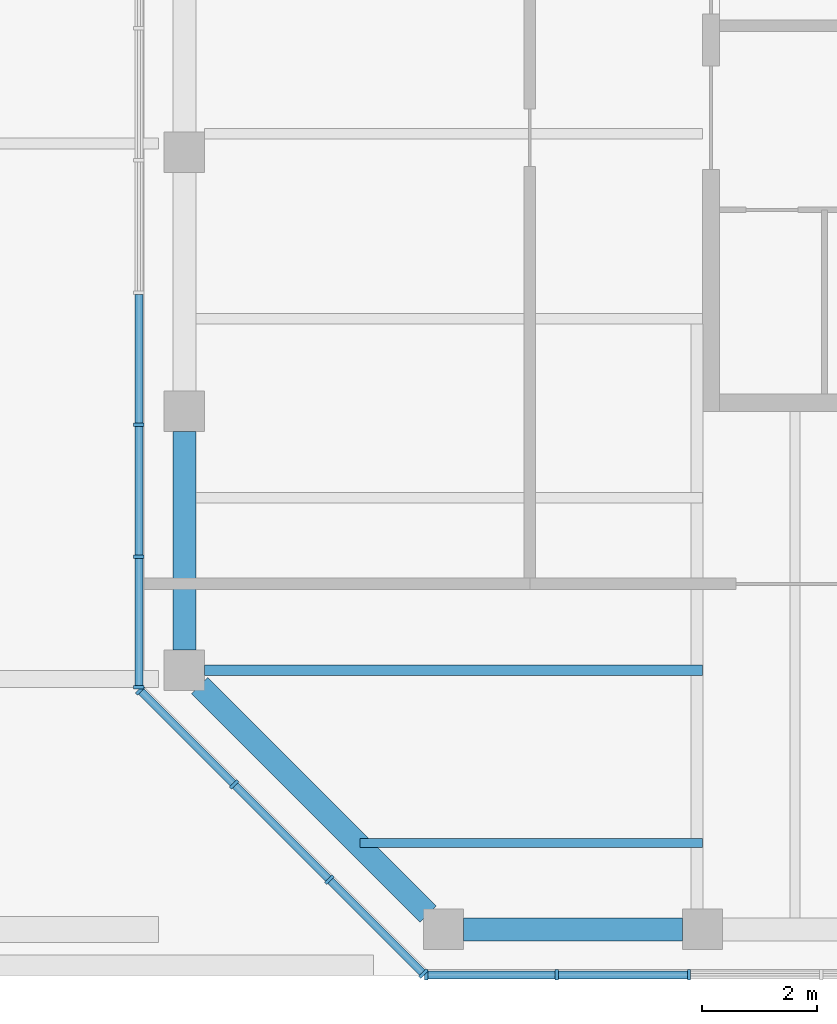
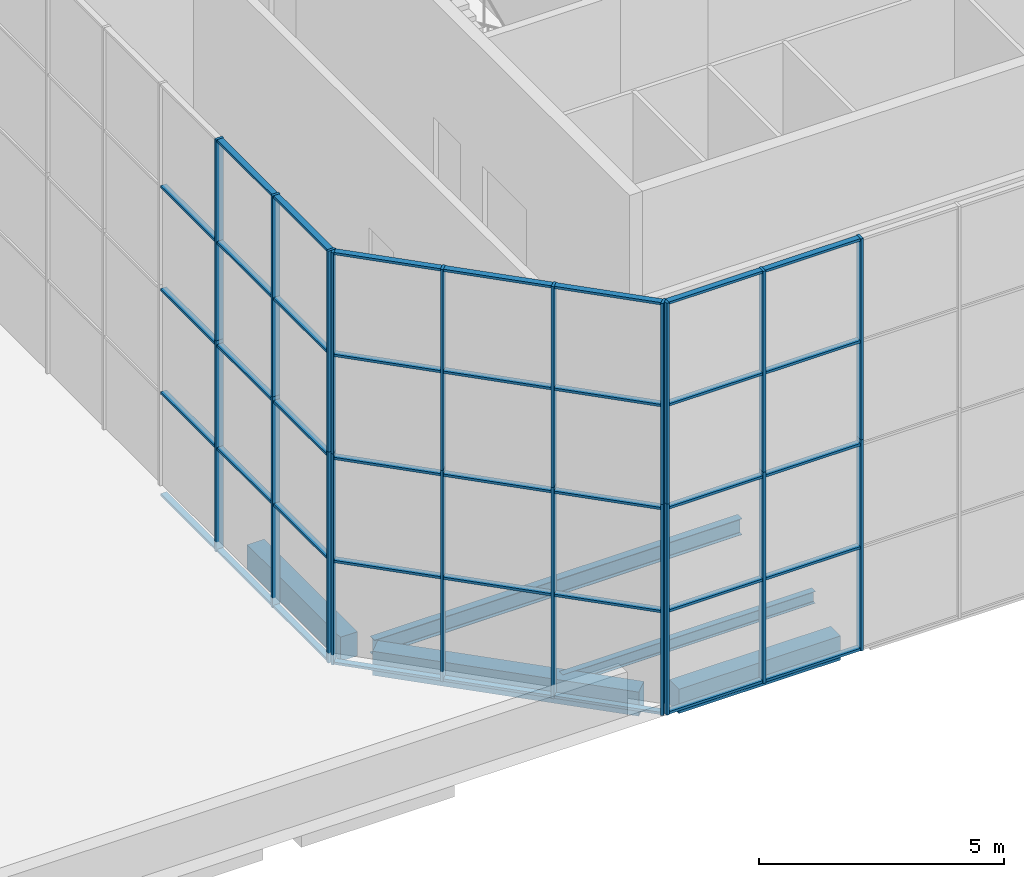
# One storey, part 2 of 19: 59 members, 5 beams, 3 elements without a shape of their own.
"""IFC4 building model written with IfcOpenShell, lengths in metres."""

import ifcopenshell
import ifcopenshell.guid

model = None  # the IFC model being written
_history = None  # IfcOwnerHistory: only IFC2X3 demands one
_inside = {}  # id of a spatial element -> (the spatial element, [elements in it])
_under = {}  # id of a project, library or spatial element -> (it, [spatial elements below it])
_declared = {}  # id of a project -> (the project, [libraries it declares])
_typed = {}  # id of a type object -> (the type object, [elements of that type])
_made_of = {}  # id of a material, layer set ... -> (it, [elements and type objects made of it])


def new_model(schema):
    """Start an empty IFC model of exactly this schema.

    Asked for "IFC4X3", IfcOpenShell would pick the latest addendum, in which some entities
    have other attributes; the version numbers below select the first issue.
    IFC2X3 requires an IfcOwnerHistory on every rooted entity: one is made here for all.
    """
    global model, _history
    if schema == "IFC4X3":
        model = ifcopenshell.file(schema_version=(4, 3, 0, 0))
    else:
        model = ifcopenshell.file(schema=schema)
    _inside.clear()
    _under.clear()
    _declared.clear()
    _typed.clear()
    _made_of.clear()
    _history = None
    if model.schema == "IFC2X3":
        org = make("IfcOrganization", Name="unknown")
        user = make(
            "IfcPersonAndOrganization",
            ThePerson=make("IfcPerson", FamilyName="unknown"),
            TheOrganization=org,
        )
        app = make(
            "IfcApplication",
            ApplicationDeveloper=org,
            Version="unknown",
            ApplicationFullName="unknown",
            ApplicationIdentifier="unknown",
        )
        _history = make(
            "IfcOwnerHistory",
            OwningUser=user,
            OwningApplication=app,
            ChangeAction="ADDED",
            CreationDate=0,
        )
    return model


def make(cls, **values):
    """One entity of the class cls with the attributes given. An attribute that is None is left unset."""
    return model.create_entity(
        cls, **{name: value for name, value in values.items() if value is not None}
    )


def rooted(cls, **values):
    """An entity with a GlobalId (a new one), such as an element, a storey or a relation."""
    return make(cls, GlobalId=ifcopenshell.guid.new(), OwnerHistory=_history, **values)


def si_unit(unit_type, name, prefix=None):
    """IfcSIUnit, for example si_unit("LENGTHUNIT", "METRE", prefix="MILLI")."""
    return make("IfcSIUnit", UnitType=unit_type, Prefix=prefix, Name=name)


def assignment(units):
    """IfcUnitAssignment: the units of a project."""
    return None if units is None else make("IfcUnitAssignment", Units=units)


def point(xyz):
    """IfcCartesianPoint."""
    return None if xyz is None else make("IfcCartesianPoint", Coordinates=xyz)


def direction(xyz):
    """IfcDirection."""
    return None if xyz is None else make("IfcDirection", DirectionRatios=xyz)


def frame(location, z_axis=None, x_axis=None):
    """IfcAxis2Placement3D, a coordinate frame: its origin and axes. An axis left out is left unset."""
    return make(
        "IfcAxis2Placement3D",
        Location=point(location),
        Axis=direction(z_axis),
        RefDirection=direction(x_axis),
    )


def frame_2d(location, x_axis=None):
    """IfcAxis2Placement2D, a coordinate frame in the plane: its origin and x axis."""
    return make(
        "IfcAxis2Placement2D", Location=point(location), RefDirection=direction(x_axis)
    )


def origin():
    """The frame at (0, 0, 0) with its axes left unset."""
    return frame((0.0, 0.0, 0.0))


def origin_2d():
    """The frame at (0, 0) in the plane with its x axis left unset."""
    return frame_2d((0.0, 0.0))


def place(relative_to, where):
    """IfcLocalPlacement: puts the frame where relative to a parent placement (None: the world)."""
    return make(
        "IfcLocalPlacement", PlacementRelTo=relative_to, RelativePlacement=where
    )


def context(
    kind, dimensions, precision=None, world=None, true_north=None, identifier=None
):
    """IfcGeometricRepresentationContext, for example the 3D "Model" context."""
    return make(
        "IfcGeometricRepresentationContext",
        ContextIdentifier=identifier,
        ContextType=kind,
        CoordinateSpaceDimension=dimensions,
        Precision=precision,
        WorldCoordinateSystem=world,
        TrueNorth=true_north,
    )


def subcontext(parent, identifier, kind, view, scale=None):
    """IfcGeometricRepresentationSubContext, for example "Body" below "Model"."""
    return make(
        "IfcGeometricRepresentationSubContext",
        ContextIdentifier=identifier,
        ContextType=kind,
        ParentContext=parent,
        TargetScale=scale,
        TargetView=view,
    )


def project(units=None, contexts=None):
    """IfcProject with its units and contexts."""
    return rooted(
        "IfcProject",
        Name="project",
        RepresentationContexts=contexts,
        UnitsInContext=assignment(units),
    )


def spatial(cls, under=None, at=None, **own):
    """A site, building, storey or space (cls), placed at a placement, below another one or the project."""
    s = rooted(cls, ObjectPlacement=at, **own)
    if under is not None:
        _under.setdefault(under.id(), (under, []))[1].append(s)
    return s


def profile(cls, at=None, kind="AREA", **sizes):
    """A parametric profile (cls). Its sizes go by their IFC names, for example OverallWidth=200.0."""
    return make(cls, ProfileType=kind, Position=at, **sizes)


def rectangle(**sizes):
    """IfcRectangleProfileDef."""
    return profile("IfcRectangleProfileDef", **sizes)


def i_section(**sizes):
    """IfcIShapeProfileDef."""
    return profile("IfcIShapeProfileDef", **sizes)


def extrude(swept, where, along, depth):
    """IfcExtrudedAreaSolid: the profile swept, set in the frame where, extruded along a direction by depth."""
    return make(
        "IfcExtrudedAreaSolid",
        SweptArea=swept,
        Position=where,
        ExtrudedDirection=direction(along),
        Depth=depth,
    )


def shape(context_of_items, identifier, shape_type, items):
    """IfcShapeRepresentation: the items that make up one representation, for example the "Body"."""
    return make(
        "IfcShapeRepresentation",
        ContextOfItems=context_of_items,
        RepresentationIdentifier=identifier,
        RepresentationType=shape_type,
        Items=items,
    )


def material(Name=None, Category=None):
    """IfcMaterial."""
    return make("IfcMaterial", Name=Name, Category=Category)


def constituent(of_material, Name=None, Category=None, fraction=None):
    """IfcMaterialConstituent: one of the materials an element consists of."""
    return make(
        "IfcMaterialConstituent",
        Name=Name,
        Material=of_material,
        Fraction=fraction,
        Category=Category,
    )


def constituent_set(constituents=None, Name=None):
    """IfcMaterialConstituentSet."""
    return make(
        "IfcMaterialConstituentSet", Name=Name, MaterialConstituents=constituents
    )


def material_profile(
    of_material, cross_section, Name=None, Category=None, Priority=None
):
    """IfcMaterialProfile: a cross section and its material."""
    return make(
        "IfcMaterialProfile",
        Name=Name,
        Material=of_material,
        Profile=cross_section,
        Priority=Priority,
        Category=Category,
    )


def profile_set(profiles, Name=None, composite=None):
    """IfcMaterialProfileSet."""
    return make(
        "IfcMaterialProfileSet",
        Name=Name,
        MaterialProfiles=profiles,
        CompositeProfile=composite,
    )


def made_of(thing, what):
    """Note that an element or type object is made of a material, layer set ...; save() writes the relation."""
    if what is not None:
        _made_of.setdefault(what.id(), (what, []))[1].append(thing)
    return thing


def type_object(cls, material=None, **own):
    """A type object (cls), such as IfcWallType, which elements share."""
    return made_of(rooted(cls, **own), material)


def element(
    cls,
    number,
    at=None,
    inside=None,
    cuts=None,
    type_object=None,
    material=None,
    context=None,
    identifier="Body",
    shape_type=None,
    held_by="IfcProductDefinitionShape",
    body=None,
    shapes=None,
    **own,
):
    """One element of the class cls, such as IfcWall. Its Tag is "e" and its number.

    at: its placement. inside: the storey or other place that contains it. cuts: it is an
    opening in that element (IfcRelVoidsElement). A single representation is given by context,
    identifier, shape_type and body (its items); several are given by shapes. held_by: the class
    of the entity that holds the representations. save() writes the other relations.
    """
    e = rooted(cls, Tag="e%d" % number, ObjectPlacement=at, **own)
    if body is not None:
        shapes = [shape(context, identifier, shape_type, body)]
    if shapes is not None:
        e.Representation = make(held_by, Representations=shapes)
    if inside is not None:
        _inside.setdefault(inside.id(), (inside, []))[1].append(e)
    if cuts is not None:
        rooted(
            "IfcRelVoidsElement", RelatingBuildingElement=cuts, RelatedOpeningElement=e
        )
    if type_object is not None:
        _typed.setdefault(type_object.id(), (type_object, []))[1].append(e)
    return made_of(e, material)


def aggregate(whole, parts):
    """IfcRelAggregates: a whole, such as a stair, and the parts it consists of."""
    return rooted("IfcRelAggregates", RelatingObject=whole, RelatedObjects=parts)


def save(model, path):
    """Write the relations noted so far, then the file.

    IfcRelAggregates (storeys below a building ...), IfcRelContainedInSpatialStructure (elements
    in a storey), IfcRelDefinesByType, IfcRelAssociatesMaterial and IfcRelDeclares: one each for
    every whole, place, type object, material and project.
    """
    for whole, parts in _under.values():
        aggregate(whole, parts)
    for where, things in _inside.values():
        rooted(
            "IfcRelContainedInSpatialStructure",
            RelatedElements=things,
            RelatingStructure=where,
        )
    for kind, things in _typed.values():
        rooted("IfcRelDefinesByType", RelatedObjects=things, RelatingType=kind)
    for what, things in _made_of.values():
        rooted("IfcRelAssociatesMaterial", RelatedObjects=things, RelatingMaterial=what)
    for by, libraries in _declared.values():
        rooted("IfcRelDeclares", RelatingContext=by, RelatedDefinitions=libraries)
    model.write(path)


model = new_model("IFC4")

# Units and contexts
model_context = context("Model", 3, precision=1e-05, world=origin(), true_north=direction((0.0, 1.0)))
body_context = subcontext(model_context, "Body", "Model", "MODEL_VIEW")
ifc_project = project(units=[si_unit("LENGTHUNIT", "METRE"), si_unit("AREAUNIT", "SQUARE_METRE"), si_unit("VOLUMEUNIT", "CUBIC_METRE"), si_unit("PLANEANGLEUNIT", "RADIAN"), si_unit("MASSUNIT", "GRAM", prefix="KILO")], contexts=[model_context])

# Site, building, storey
site_placement = place(None, origin())
site = spatial("IfcSite", under=ifc_project, at=site_placement, CompositionType="ELEMENT")
building_placement = place(site_placement, origin())
building = spatial("IfcBuilding", under=site, at=building_placement, Name="Quoin Convention Tower", CompositionType="ELEMENT")
storey_placement = place(building_placement, frame((0.0, 0.0, 263.699951171875)))
storey = spatial("IfcBuildingStorey", under=building, at=storey_placement, Name="L69", CompositionType="ELEMENT", Elevation=263.699951171875)

# Beams
ifc_material_1 = material(Name="Steel Grade 300", Category="steel")
ifc_material_profile_1 = material_profile(ifc_material_1, i_section(OverallWidth=0.14892578125, OverallDepth=0.298095703125, WebThickness=0.005615234375, FlangeThickness=0.008056640625, FilletRadius=0.012939453125, at=origin_2d()), Name="310UB32.0")
ifc_profile_set_1 = profile_set([ifc_material_profile_1], Name="Steel Grade 300")
beam_type_1 = type_object("IfcBeamType", Name="310UB32.0", PredefinedType="BEAM", material=ifc_profile_set_1)
beam_1_placement = place(storey_placement, frame((39.052490234375, 42.0, -0.39892578125), z_axis=(1.0, 0.0, 0.0), x_axis=(0.0, 1.0, 0.0)))
element("IfcBeam", 1, at=beam_1_placement, inside=storey, type_object=beam_type_1, Name="bm-L69-T1SW0", PredefinedType="BEAM", context=body_context, shape_type="SweptSolid", body=[
    extrude(i_section(OverallWidth=0.14892578125, OverallDepth=0.298095703125, WebThickness=0.005615234375, FlangeThickness=0.008056640625, FilletRadius=0.012939453125, at=origin_2d()), origin(), (0.0, 0.0, 1.0), 5.947509765625),
])
ifc_material_profile_2 = material_profile(ifc_material_1, i_section(OverallWidth=0.177978515625, OverallDepth=0.403076171875, WebThickness=0.007568359375, FlangeThickness=0.010986328125, FilletRadius=0.011474609375, at=origin_2d()), Name="410UB53.7")
ifc_profile_set_2 = profile_set([ifc_material_profile_2], Name="Steel Grade 300")
beam_type_2 = type_object("IfcBeamType", Name="410UB53.7", PredefinedType="BEAM", material=ifc_profile_set_2)
beam_2_placement = place(storey_placement, frame((36.35009765625, 45.0, -0.451416015625), z_axis=(1.0, 0.0, 0.0), x_axis=(0.0, 1.0, 0.0)))
element("IfcBeam", 2, at=beam_2_placement, inside=storey, type_object=beam_type_2, Name="bm-L69-T1SW1", PredefinedType="BEAM", context=body_context, shape_type="SweptSolid", body=[
    extrude(i_section(OverallWidth=0.177978515625, OverallDepth=0.403076171875, WebThickness=0.007568359375, FlangeThickness=0.010986328125, FilletRadius=0.011474609375, at=origin_2d()), origin(), (0.0, 0.0, 1.0), 8.64990234375),
])

# Curtain wall, members
ifc_material_2 = material(Name="Aluminium", Category="aluminium")
ifc_constituent_1 = constituent(ifc_material_2, Name="Frame")
ifc_material_3 = material(Name="Insulated glass", Category="glass")
ifc_constituent_2 = constituent(ifc_material_3, Name="Glazing")
ifc_constituent_set = constituent_set(constituents=[ifc_constituent_1, ifc_constituent_2], Name="Aluminium")
curtain_wall_type = type_object("IfcCurtainWallType", Name="Lantern wall system", PredefinedType="NOTDEFINED", material=ifc_constituent_set)
curtain_wall_1_placement = place(storey_placement, origin())
curtain_wall_1 = element("IfcCurtainWall", 3, at=curtain_wall_1_placement, inside=storey, type_object=curtain_wall_type, Name="crn-LNW-36000_76500", PredefinedType="NOTDEFINED")
ifc_material_profile_3 = material_profile(ifc_material_2, rectangle(XDim=0.179931640625, YDim=0.06005859375, at=origin_2d()), Name="Lantern wall mullion 60x180")
ifc_profile_set_3 = profile_set([ifc_material_profile_3], Name="Aluminium")
member_type_1 = type_object("IfcMemberType", Name="Lantern wall mullion 60x180", PredefinedType="MULLION", material=ifc_profile_set_3)
member_1_placement = place(storey_placement, frame((35.2099609375, 49.266357421875, -0.25), z_axis=(0.0, 0.0, 1.0), x_axis=(1.0, 0.0, 0.0)))
member_1 = element("IfcMember", 4, at=member_1_placement, type_object=member_type_1, Name="CW5 mullion 13", PredefinedType="MULLION", context=body_context, shape_type="SweptSolid", body=[
    extrude(rectangle(XDim=0.179931640625, YDim=0.06005859375, at=origin_2d()), origin(), (0.0, 0.0, 1.0), 5.25),
])
member_2_placement = place(storey_placement, frame((35.2099609375, 46.969482421875, -0.25), z_axis=(0.0, 0.0, 1.0), x_axis=(1.0, 0.0, 0.0)))
member_2 = element("IfcMember", 5, at=member_2_placement, type_object=member_type_1, Name="CW5 mullion 14", PredefinedType="MULLION", context=body_context, shape_type="SweptSolid", body=[
    extrude(rectangle(XDim=0.179931640625, YDim=0.06005859375, at=origin_2d()), origin(), (0.0, 0.0, 1.0), 5.25),
])
member_3_placement = place(storey_placement, frame((35.2099609375, 44.702880859375, -0.25), z_axis=(0.0, 0.0, 1.0), x_axis=(1.0, 0.0, 0.0)))
member_3 = element("IfcMember", 6, at=member_3_placement, type_object=member_type_1, Name="CW5 mullion 15", PredefinedType="MULLION", context=body_context, shape_type="SweptSolid", body=[
    extrude(rectangle(XDim=0.179931640625, YDim=0.06005859375, at=origin_2d()), origin(), (0.0, 0.0, 1.0), 5.25),
])
member_4_placement = place(storey_placement, frame((35.2099609375, 49.266357421875, 5.0), z_axis=(0.0, 0.0, 1.0), x_axis=(1.0, 0.0, 0.0)))
member_4 = element("IfcMember", 7, at=member_4_placement, type_object=member_type_1, Name="CW5 mullion 13", PredefinedType="MULLION", context=body_context, shape_type="SweptSolid", body=[
    extrude(rectangle(XDim=0.179931640625, YDim=0.06005859375, at=origin_2d()), origin(), (0.0, 0.0, 1.0), 5.0),
])
member_5_placement = place(storey_placement, frame((35.2099609375, 46.969482421875, 5.0), z_axis=(0.0, 0.0, 1.0), x_axis=(1.0, 0.0, 0.0)))
member_5 = element("IfcMember", 8, at=member_5_placement, type_object=member_type_1, Name="CW5 mullion 14", PredefinedType="MULLION", context=body_context, shape_type="SweptSolid", body=[
    extrude(rectangle(XDim=0.179931640625, YDim=0.06005859375, at=origin_2d()), origin(), (0.0, 0.0, 1.0), 5.0),
])
member_6_placement = place(storey_placement, frame((35.2099609375, 44.702880859375, 5.0), z_axis=(0.0, 0.0, 1.0), x_axis=(1.0, 0.0, 0.0)))
member_6 = element("IfcMember", 9, at=member_6_placement, type_object=member_type_1, Name="CW5 mullion 15", PredefinedType="MULLION", context=body_context, shape_type="SweptSolid", body=[
    extrude(rectangle(XDim=0.179931640625, YDim=0.06005859375, at=origin_2d()), origin(), (0.0, 0.0, 1.0), 5.0),
])

curtain_wall_2_placement = place(storey_placement, origin())
curtain_wall_2 = element("IfcCurtainWall", 10, at=curtain_wall_2_placement, inside=storey, type_object=curtain_wall_type, Name="crn-LNW-36000_45000", PredefinedType="NOTDEFINED")
member_7_placement = place(storey_placement, frame((35.231201171875, 44.651611328125, -0.25), z_axis=(0.0, 0.0, 1.0), x_axis=(0.707106781187, 0.707106781187, 0.0)))
member_7 = element("IfcMember", 11, at=member_7_placement, type_object=member_type_1, Name="CW5 mullion 1", PredefinedType="MULLION", context=body_context, shape_type="SweptSolid", body=[
    extrude(rectangle(XDim=0.179931640625, YDim=0.06005859375, at=origin_2d()), origin(), (0.0, 0.0, 1.0), 5.25),
])
member_8_placement = place(storey_placement, frame((36.8642578125, 43.0185546875, -0.25), z_axis=(0.0, 0.0, 1.0), x_axis=(0.707106781187, 0.707106781187, 0.0)))
member_8 = element("IfcMember", 12, at=member_8_placement, type_object=member_type_1, Name="CW5 mullion 2", PredefinedType="MULLION", context=body_context, shape_type="SweptSolid", body=[
    extrude(rectangle(XDim=0.179931640625, YDim=0.06005859375, at=origin_2d()), origin(), (0.0, 0.0, 1.0), 5.25),
])
member_9_placement = place(storey_placement, frame((38.5185546875, 41.3642578125, -0.25), z_axis=(0.0, 0.0, 1.0), x_axis=(0.707106781187, 0.707106781187, 0.0)))
member_9 = element("IfcMember", 13, at=member_9_placement, type_object=member_type_1, Name="CW5 mullion 3", PredefinedType="MULLION", context=body_context, shape_type="SweptSolid", body=[
    extrude(rectangle(XDim=0.179931640625, YDim=0.06005859375, at=origin_2d()), origin(), (0.0, 0.0, 1.0), 5.25),
])
member_10_placement = place(storey_placement, frame((40.151611328125, 39.731201171875, -0.25), z_axis=(0.0, 0.0, 1.0), x_axis=(0.707106781187, 0.707106781187, 0.0)))
member_10 = element("IfcMember", 14, at=member_10_placement, type_object=member_type_1, Name="CW5 mullion 4", PredefinedType="MULLION", context=body_context, shape_type="SweptSolid", body=[
    extrude(rectangle(XDim=0.179931640625, YDim=0.06005859375, at=origin_2d()), origin(), (0.0, 0.0, 1.0), 5.25),
])
member_11_placement = place(storey_placement, frame((35.231201171875, 44.651611328125, 5.0), z_axis=(0.0, 0.0, 1.0), x_axis=(0.707106781187, 0.707106781187, 0.0)))
member_11 = element("IfcMember", 15, at=member_11_placement, type_object=member_type_1, Name="CW5 mullion 1", PredefinedType="MULLION", context=body_context, shape_type="SweptSolid", body=[
    extrude(rectangle(XDim=0.179931640625, YDim=0.06005859375, at=origin_2d()), origin(), (0.0, 0.0, 1.0), 5.0),
])
member_12_placement = place(storey_placement, frame((36.8642578125, 43.0185546875, 5.0), z_axis=(0.0, 0.0, 1.0), x_axis=(0.707106781187, 0.707106781187, 0.0)))
member_12 = element("IfcMember", 16, at=member_12_placement, type_object=member_type_1, Name="CW5 mullion 2", PredefinedType="MULLION", context=body_context, shape_type="SweptSolid", body=[
    extrude(rectangle(XDim=0.179931640625, YDim=0.06005859375, at=origin_2d()), origin(), (0.0, 0.0, 1.0), 5.0),
])
member_13_placement = place(storey_placement, frame((38.5185546875, 41.3642578125, 5.0), z_axis=(0.0, 0.0, 1.0), x_axis=(0.707106781187, 0.707106781187, 0.0)))
member_13 = element("IfcMember", 17, at=member_13_placement, type_object=member_type_1, Name="CW5 mullion 3", PredefinedType="MULLION", context=body_context, shape_type="SweptSolid", body=[
    extrude(rectangle(XDim=0.179931640625, YDim=0.06005859375, at=origin_2d()), origin(), (0.0, 0.0, 1.0), 5.0),
])
member_14_placement = place(storey_placement, frame((40.151611328125, 39.731201171875, 5.0), z_axis=(0.0, 0.0, 1.0), x_axis=(0.707106781187, 0.707106781187, 0.0)))
member_14 = element("IfcMember", 18, at=member_14_placement, type_object=member_type_1, Name="CW5 mullion 4", PredefinedType="MULLION", context=body_context, shape_type="SweptSolid", body=[
    extrude(rectangle(XDim=0.179931640625, YDim=0.06005859375, at=origin_2d()), origin(), (0.0, 0.0, 1.0), 5.0),
])

curtain_wall_3_placement = place(storey_placement, origin())
curtain_wall_3 = element("IfcCurtainWall", 19, at=curtain_wall_3_placement, inside=storey, type_object=curtain_wall_type, Name="crn-LNW-40500_40500", PredefinedType="NOTDEFINED")
member_15_placement = place(storey_placement, frame((40.202880859375, 39.7099609375, -0.25), z_axis=(0.0, 0.0, 1.0), x_axis=(0.0, 1.0, 0.0)))
member_15 = element("IfcMember", 20, at=member_15_placement, type_object=member_type_1, Name="CW5 mullion 1", PredefinedType="MULLION", context=body_context, shape_type="SweptSolid", body=[
    extrude(rectangle(XDim=0.179931640625, YDim=0.06005859375, at=origin_2d()), origin(), (0.0, 0.0, 1.0), 5.25),
])
member_16_placement = place(storey_placement, frame((42.469482421875, 39.7099609375, -0.25), z_axis=(0.0, 0.0, 1.0), x_axis=(0.0, 1.0, 0.0)))
member_16 = element("IfcMember", 21, at=member_16_placement, type_object=member_type_1, Name="CW5 mullion 2", PredefinedType="MULLION", context=body_context, shape_type="SweptSolid", body=[
    extrude(rectangle(XDim=0.179931640625, YDim=0.06005859375, at=origin_2d()), origin(), (0.0, 0.0, 1.0), 5.25),
])
member_17_placement = place(storey_placement, frame((44.766357421875, 39.7099609375, -0.25), z_axis=(0.0, 0.0, 1.0), x_axis=(0.0, 1.0, 0.0)))
member_17 = element("IfcMember", 22, at=member_17_placement, type_object=member_type_1, Name="CW5 mullion 3", PredefinedType="MULLION", context=body_context, shape_type="SweptSolid", body=[
    extrude(rectangle(XDim=0.179931640625, YDim=0.06005859375, at=origin_2d()), origin(), (0.0, 0.0, 1.0), 5.25),
])
member_18_placement = place(storey_placement, frame((40.202880859375, 39.7099609375, 5.0), z_axis=(0.0, 0.0, 1.0), x_axis=(0.0, 1.0, 0.0)))
member_18 = element("IfcMember", 23, at=member_18_placement, type_object=member_type_1, Name="CW5 mullion 1", PredefinedType="MULLION", context=body_context, shape_type="SweptSolid", body=[
    extrude(rectangle(XDim=0.179931640625, YDim=0.06005859375, at=origin_2d()), origin(), (0.0, 0.0, 1.0), 5.0),
])
member_19_placement = place(storey_placement, frame((42.469482421875, 39.7099609375, 5.0), z_axis=(0.0, 0.0, 1.0), x_axis=(0.0, 1.0, 0.0)))
member_19 = element("IfcMember", 24, at=member_19_placement, type_object=member_type_1, Name="CW5 mullion 2", PredefinedType="MULLION", context=body_context, shape_type="SweptSolid", body=[
    extrude(rectangle(XDim=0.179931640625, YDim=0.06005859375, at=origin_2d()), origin(), (0.0, 0.0, 1.0), 5.0),
])
member_20_placement = place(storey_placement, frame((44.766357421875, 39.7099609375, 5.0), z_axis=(0.0, 0.0, 1.0), x_axis=(0.0, 1.0, 0.0)))
member_20 = element("IfcMember", 25, at=member_20_placement, type_object=member_type_1, Name="CW5 mullion 3", PredefinedType="MULLION", context=body_context, shape_type="SweptSolid", body=[
    extrude(rectangle(XDim=0.179931640625, YDim=0.06005859375, at=origin_2d()), origin(), (0.0, 0.0, 1.0), 5.0),
])

# Member
ifc_material_profile_4 = material_profile(ifc_material_2, rectangle(XDim=0.139892578125, YDim=0.06005859375, at=origin_2d()), Name="Lantern wall transom 60x140")
ifc_profile_set_4 = profile_set([ifc_material_profile_4], Name="Aluminium")
member_type_2 = type_object("IfcMemberType", Name="Lantern wall transom 60x140", PredefinedType="USERDEFINED", material=ifc_profile_set_4)
member_21_placement = place(storey_placement, frame((35.2099609375, 51.532958984375, -0.219970703125), z_axis=(0.0, -1.0, 0.0), x_axis=(1.0, 0.0, 0.0)))
member_21 = element("IfcMember", 26, at=member_21_placement, type_object=member_type_2, Name="CW5 transom 12.1", ObjectType="TRANSOM", PredefinedType="USERDEFINED", context=body_context, shape_type="SweptSolid", body=[
    extrude(rectangle(XDim=0.139892578125, YDim=0.06005859375, at=origin_2d()), origin(), (0.0, 0.0, 1.0), 2.236572265625),
])

member_22_placement = place(storey_placement, frame((35.2099609375, 51.532958984375, 2.3125), z_axis=(0.0, -1.0, 0.0), x_axis=(1.0, 0.0, 0.0)))
member_22 = element("IfcMember", 27, at=member_22_placement, type_object=member_type_2, Name="CW5 transom 12.2", ObjectType="TRANSOM", PredefinedType="USERDEFINED", context=body_context, shape_type="SweptSolid", body=[
    extrude(rectangle(XDim=0.139892578125, YDim=0.06005859375, at=origin_2d()), origin(), (0.0, 0.0, 1.0), 2.236572265625),
])

member_23_placement = place(storey_placement, frame((35.2099609375, 51.532958984375, 4.875), z_axis=(0.0, -1.0, 0.0), x_axis=(1.0, 0.0, 0.0)))
member_23 = element("IfcMember", 28, at=member_23_placement, type_object=member_type_2, Name="CW5 transom 12.3", ObjectType="TRANSOM", PredefinedType="USERDEFINED", context=body_context, shape_type="SweptSolid", body=[
    extrude(rectangle(XDim=0.139892578125, YDim=0.06005859375, at=origin_2d()), origin(), (0.0, 0.0, 1.0), 2.236572265625),
])

member_24_placement = place(storey_placement, frame((35.2099609375, 51.532958984375, 7.4375), z_axis=(0.0, -1.0, 0.0), x_axis=(1.0, 0.0, 0.0)))
member_24 = element("IfcMember", 29, at=member_24_placement, type_object=member_type_2, Name="CW5 transom 12.4", ObjectType="TRANSOM", PredefinedType="USERDEFINED", context=body_context, shape_type="SweptSolid", body=[
    extrude(rectangle(XDim=0.139892578125, YDim=0.06005859375, at=origin_2d()), origin(), (0.0, 0.0, 1.0), 2.236572265625),
])

member_25_placement = place(storey_placement, frame((35.2099609375, 49.236328125, -0.219970703125), z_axis=(0.0, -1.0, 0.0), x_axis=(1.0, 0.0, 0.0)))
member_25 = element("IfcMember", 30, at=member_25_placement, type_object=member_type_2, Name="CW5 transom 13.1", ObjectType="TRANSOM", PredefinedType="USERDEFINED", context=body_context, shape_type="SweptSolid", body=[
    extrude(rectangle(XDim=0.139892578125, YDim=0.06005859375, at=origin_2d()), origin(), (0.0, 0.0, 1.0), 2.23681640625),
])

member_26_placement = place(storey_placement, frame((35.2099609375, 49.236328125, 2.3125), z_axis=(0.0, -1.0, 0.0), x_axis=(1.0, 0.0, 0.0)))
member_26 = element("IfcMember", 31, at=member_26_placement, type_object=member_type_2, Name="CW5 transom 13.2", ObjectType="TRANSOM", PredefinedType="USERDEFINED", context=body_context, shape_type="SweptSolid", body=[
    extrude(rectangle(XDim=0.139892578125, YDim=0.06005859375, at=origin_2d()), origin(), (0.0, 0.0, 1.0), 2.23681640625),
])

member_27_placement = place(storey_placement, frame((35.2099609375, 49.236328125, 4.875), z_axis=(0.0, -1.0, 0.0), x_axis=(1.0, 0.0, 0.0)))
member_27 = element("IfcMember", 32, at=member_27_placement, type_object=member_type_2, Name="CW5 transom 13.3", ObjectType="TRANSOM", PredefinedType="USERDEFINED", context=body_context, shape_type="SweptSolid", body=[
    extrude(rectangle(XDim=0.139892578125, YDim=0.06005859375, at=origin_2d()), origin(), (0.0, 0.0, 1.0), 2.23681640625),
])

member_28_placement = place(storey_placement, frame((35.2099609375, 49.236328125, 7.4375), z_axis=(0.0, -1.0, 0.0), x_axis=(1.0, 0.0, 0.0)))
member_28 = element("IfcMember", 33, at=member_28_placement, type_object=member_type_2, Name="CW5 transom 13.4", ObjectType="TRANSOM", PredefinedType="USERDEFINED", context=body_context, shape_type="SweptSolid", body=[
    extrude(rectangle(XDim=0.139892578125, YDim=0.06005859375, at=origin_2d()), origin(), (0.0, 0.0, 1.0), 2.23681640625),
])

member_29_placement = place(storey_placement, frame((35.2099609375, 49.236328125, 9.969970703125), z_axis=(0.0, -1.0, 0.0), x_axis=(1.0, 0.0, 0.0)))
member_29 = element("IfcMember", 34, at=member_29_placement, type_object=member_type_2, Name="CW5 transom 13.5", ObjectType="TRANSOM", PredefinedType="USERDEFINED", context=body_context, shape_type="SweptSolid", body=[
    extrude(rectangle(XDim=0.139892578125, YDim=0.06005859375, at=origin_2d()), origin(), (0.0, 0.0, 1.0), 2.23681640625),
])

member_30_placement = place(storey_placement, frame((35.2099609375, 46.939453125, -0.219970703125), z_axis=(0.0, -1.0, 0.0), x_axis=(1.0, 0.0, 0.0)))
member_30 = element("IfcMember", 35, at=member_30_placement, type_object=member_type_2, Name="CW5 transom 14.1", ObjectType="TRANSOM", PredefinedType="USERDEFINED", context=body_context, shape_type="SweptSolid", body=[
    extrude(rectangle(XDim=0.139892578125, YDim=0.06005859375, at=origin_2d()), origin(), (0.0, 0.0, 1.0), 2.20654296875),
])

member_31_placement = place(storey_placement, frame((35.2099609375, 46.939453125, 2.3125), z_axis=(0.0, -1.0, 0.0), x_axis=(1.0, 0.0, 0.0)))
member_31 = element("IfcMember", 36, at=member_31_placement, type_object=member_type_2, Name="CW5 transom 14.2", ObjectType="TRANSOM", PredefinedType="USERDEFINED", context=body_context, shape_type="SweptSolid", body=[
    extrude(rectangle(XDim=0.139892578125, YDim=0.06005859375, at=origin_2d()), origin(), (0.0, 0.0, 1.0), 2.20654296875),
])

member_32_placement = place(storey_placement, frame((35.2099609375, 46.939453125, 4.875), z_axis=(0.0, -1.0, 0.0), x_axis=(1.0, 0.0, 0.0)))
member_32 = element("IfcMember", 37, at=member_32_placement, type_object=member_type_2, Name="CW5 transom 14.3", ObjectType="TRANSOM", PredefinedType="USERDEFINED", context=body_context, shape_type="SweptSolid", body=[
    extrude(rectangle(XDim=0.139892578125, YDim=0.06005859375, at=origin_2d()), origin(), (0.0, 0.0, 1.0), 2.20654296875),
])

member_33_placement = place(storey_placement, frame((35.2099609375, 46.939453125, 7.4375), z_axis=(0.0, -1.0, 0.0), x_axis=(1.0, 0.0, 0.0)))
member_33 = element("IfcMember", 38, at=member_33_placement, type_object=member_type_2, Name="CW5 transom 14.4", ObjectType="TRANSOM", PredefinedType="USERDEFINED", context=body_context, shape_type="SweptSolid", body=[
    extrude(rectangle(XDim=0.139892578125, YDim=0.06005859375, at=origin_2d()), origin(), (0.0, 0.0, 1.0), 2.20654296875),
])

member_34_placement = place(storey_placement, frame((35.2099609375, 46.939453125, 9.969970703125), z_axis=(0.0, -1.0, 0.0), x_axis=(1.0, 0.0, 0.0)))
member_34 = element("IfcMember", 39, at=member_34_placement, type_object=member_type_2, Name="CW5 transom 14.5", ObjectType="TRANSOM", PredefinedType="USERDEFINED", context=body_context, shape_type="SweptSolid", body=[
    extrude(rectangle(XDim=0.139892578125, YDim=0.06005859375, at=origin_2d()), origin(), (0.0, 0.0, 1.0), 2.20654296875),
])

aggregate(curtain_wall_1, [member_1, member_2, member_3, member_21, member_22, member_23, member_24, member_25, member_26, member_27, member_28, member_29, member_30, member_31, member_32, member_33, member_34, member_4, member_5, member_6])

member_35_placement = place(storey_placement, frame((35.25244140625, 44.63037109375, -0.219970703125), z_axis=(0.707106781187, -0.707106781187, 0.0), x_axis=(0.707106781187, 0.707106781187, 0.0)))
member_35 = element("IfcMember", 40, at=member_35_placement, type_object=member_type_2, Name="CW5 transom 1.1", ObjectType="TRANSOM", PredefinedType="USERDEFINED", context=body_context, shape_type="SweptSolid", body=[
    extrude(rectangle(XDim=0.139892578125, YDim=0.06005859375, at=origin_2d()), origin(), (0.0, 0.0, 1.0), 2.24951171875),
])

member_36_placement = place(storey_placement, frame((35.25244140625, 44.63037109375, 2.3125), z_axis=(0.707106781187, -0.707106781187, 0.0), x_axis=(0.707106781187, 0.707106781187, 0.0)))
member_36 = element("IfcMember", 41, at=member_36_placement, type_object=member_type_2, Name="CW5 transom 1.2", ObjectType="TRANSOM", PredefinedType="USERDEFINED", context=body_context, shape_type="SweptSolid", body=[
    extrude(rectangle(XDim=0.139892578125, YDim=0.06005859375, at=origin_2d()), origin(), (0.0, 0.0, 1.0), 2.24951171875),
])

member_37_placement = place(storey_placement, frame((35.25244140625, 44.63037109375, 4.875), z_axis=(0.707106781187, -0.707106781187, 0.0), x_axis=(0.707106781187, 0.707106781187, 0.0)))
member_37 = element("IfcMember", 42, at=member_37_placement, type_object=member_type_2, Name="CW5 transom 1.3", ObjectType="TRANSOM", PredefinedType="USERDEFINED", context=body_context, shape_type="SweptSolid", body=[
    extrude(rectangle(XDim=0.139892578125, YDim=0.06005859375, at=origin_2d()), origin(), (0.0, 0.0, 1.0), 2.24951171875),
])

member_38_placement = place(storey_placement, frame((35.25244140625, 44.63037109375, 7.4375), z_axis=(0.707106781187, -0.707106781187, 0.0), x_axis=(0.707106781187, 0.707106781187, 0.0)))
member_38 = element("IfcMember", 43, at=member_38_placement, type_object=member_type_2, Name="CW5 transom 1.4", ObjectType="TRANSOM", PredefinedType="USERDEFINED", context=body_context, shape_type="SweptSolid", body=[
    extrude(rectangle(XDim=0.139892578125, YDim=0.06005859375, at=origin_2d()), origin(), (0.0, 0.0, 1.0), 2.24951171875),
])

member_39_placement = place(storey_placement, frame((35.25244140625, 44.63037109375, 9.969970703125), z_axis=(0.707106781187, -0.707106781187, 0.0), x_axis=(0.707106781187, 0.707106781187, 0.0)))
member_39 = element("IfcMember", 44, at=member_39_placement, type_object=member_type_2, Name="CW5 transom 1.5", ObjectType="TRANSOM", PredefinedType="USERDEFINED", context=body_context, shape_type="SweptSolid", body=[
    extrude(rectangle(XDim=0.139892578125, YDim=0.06005859375, at=origin_2d()), origin(), (0.0, 0.0, 1.0), 2.24951171875),
])

member_40_placement = place(storey_placement, frame((36.885498046875, 42.997314453125, -0.219970703125), z_axis=(0.707106781187, -0.707106781187, 0.0), x_axis=(0.707106781187, 0.707106781187, 0.0)))
member_40 = element("IfcMember", 45, at=member_40_placement, type_object=member_type_2, Name="CW5 transom 2.1", ObjectType="TRANSOM", PredefinedType="USERDEFINED", context=body_context, shape_type="SweptSolid", body=[
    extrude(rectangle(XDim=0.139892578125, YDim=0.06005859375, at=origin_2d()), origin(), (0.0, 0.0, 1.0), 2.279541015625),
])

member_41_placement = place(storey_placement, frame((36.885498046875, 42.997314453125, 2.3125), z_axis=(0.707106781187, -0.707106781187, 0.0), x_axis=(0.707106781187, 0.707106781187, 0.0)))
member_41 = element("IfcMember", 46, at=member_41_placement, type_object=member_type_2, Name="CW5 transom 2.2", ObjectType="TRANSOM", PredefinedType="USERDEFINED", context=body_context, shape_type="SweptSolid", body=[
    extrude(rectangle(XDim=0.139892578125, YDim=0.06005859375, at=origin_2d()), origin(), (0.0, 0.0, 1.0), 2.279541015625),
])

member_42_placement = place(storey_placement, frame((36.885498046875, 42.997314453125, 4.875), z_axis=(0.707106781187, -0.707106781187, 0.0), x_axis=(0.707106781187, 0.707106781187, 0.0)))
member_42 = element("IfcMember", 47, at=member_42_placement, type_object=member_type_2, Name="CW5 transom 2.3", ObjectType="TRANSOM", PredefinedType="USERDEFINED", context=body_context, shape_type="SweptSolid", body=[
    extrude(rectangle(XDim=0.139892578125, YDim=0.06005859375, at=origin_2d()), origin(), (0.0, 0.0, 1.0), 2.279541015625),
])

member_43_placement = place(storey_placement, frame((36.885498046875, 42.997314453125, 7.4375), z_axis=(0.707106781187, -0.707106781187, 0.0), x_axis=(0.707106781187, 0.707106781187, 0.0)))
member_43 = element("IfcMember", 48, at=member_43_placement, type_object=member_type_2, Name="CW5 transom 2.4", ObjectType="TRANSOM", PredefinedType="USERDEFINED", context=body_context, shape_type="SweptSolid", body=[
    extrude(rectangle(XDim=0.139892578125, YDim=0.06005859375, at=origin_2d()), origin(), (0.0, 0.0, 1.0), 2.279541015625),
])

member_44_placement = place(storey_placement, frame((36.885498046875, 42.997314453125, 9.969970703125), z_axis=(0.707106781187, -0.707106781187, 0.0), x_axis=(0.707106781187, 0.707106781187, 0.0)))
member_44 = element("IfcMember", 49, at=member_44_placement, type_object=member_type_2, Name="CW5 transom 2.5", ObjectType="TRANSOM", PredefinedType="USERDEFINED", context=body_context, shape_type="SweptSolid", body=[
    extrude(rectangle(XDim=0.139892578125, YDim=0.06005859375, at=origin_2d()), origin(), (0.0, 0.0, 1.0), 2.279541015625),
])

member_45_placement = place(storey_placement, frame((38.539794921875, 41.343017578125, -0.219970703125), z_axis=(0.707106781187, -0.707106781187, 0.0), x_axis=(0.707106781187, 0.707106781187, 0.0)))
member_45 = element("IfcMember", 50, at=member_45_placement, type_object=member_type_2, Name="CW5 transom 3.1", ObjectType="TRANSOM", PredefinedType="USERDEFINED", context=body_context, shape_type="SweptSolid", body=[
    extrude(rectangle(XDim=0.139892578125, YDim=0.06005859375, at=origin_2d()), origin(), (0.0, 0.0, 1.0), 2.24951171875),
])

member_46_placement = place(storey_placement, frame((38.539794921875, 41.343017578125, 2.3125), z_axis=(0.707106781187, -0.707106781187, 0.0), x_axis=(0.707106781187, 0.707106781187, 0.0)))
member_46 = element("IfcMember", 51, at=member_46_placement, type_object=member_type_2, Name="CW5 transom 3.2", ObjectType="TRANSOM", PredefinedType="USERDEFINED", context=body_context, shape_type="SweptSolid", body=[
    extrude(rectangle(XDim=0.139892578125, YDim=0.06005859375, at=origin_2d()), origin(), (0.0, 0.0, 1.0), 2.24951171875),
])

member_47_placement = place(storey_placement, frame((38.539794921875, 41.343017578125, 4.875), z_axis=(0.707106781187, -0.707106781187, 0.0), x_axis=(0.707106781187, 0.707106781187, 0.0)))
member_47 = element("IfcMember", 52, at=member_47_placement, type_object=member_type_2, Name="CW5 transom 3.3", ObjectType="TRANSOM", PredefinedType="USERDEFINED", context=body_context, shape_type="SweptSolid", body=[
    extrude(rectangle(XDim=0.139892578125, YDim=0.06005859375, at=origin_2d()), origin(), (0.0, 0.0, 1.0), 2.24951171875),
])

member_48_placement = place(storey_placement, frame((38.539794921875, 41.343017578125, 7.4375), z_axis=(0.707106781187, -0.707106781187, 0.0), x_axis=(0.707106781187, 0.707106781187, 0.0)))
member_48 = element("IfcMember", 53, at=member_48_placement, type_object=member_type_2, Name="CW5 transom 3.4", ObjectType="TRANSOM", PredefinedType="USERDEFINED", context=body_context, shape_type="SweptSolid", body=[
    extrude(rectangle(XDim=0.139892578125, YDim=0.06005859375, at=origin_2d()), origin(), (0.0, 0.0, 1.0), 2.24951171875),
])

member_49_placement = place(storey_placement, frame((38.539794921875, 41.343017578125, 9.969970703125), z_axis=(0.707106781187, -0.707106781187, 0.0), x_axis=(0.707106781187, 0.707106781187, 0.0)))
member_49 = element("IfcMember", 54, at=member_49_placement, type_object=member_type_2, Name="CW5 transom 3.5", ObjectType="TRANSOM", PredefinedType="USERDEFINED", context=body_context, shape_type="SweptSolid", body=[
    extrude(rectangle(XDim=0.139892578125, YDim=0.06005859375, at=origin_2d()), origin(), (0.0, 0.0, 1.0), 2.24951171875),
])

aggregate(curtain_wall_2, [member_7, member_8, member_9, member_10, member_35, member_36, member_37, member_38, member_39, member_40, member_41, member_42, member_43, member_44, member_45, member_46, member_47, member_48, member_49, member_11, member_12, member_13, member_14])

member_50_placement = place(storey_placement, frame((40.23291015625, 39.7099609375, -0.219970703125), z_axis=(1.0, 0.0, 0.0), x_axis=(0.0, 1.0, 0.0)))
member_50 = element("IfcMember", 55, at=member_50_placement, type_object=member_type_2, Name="CW5 transom 1.1", ObjectType="TRANSOM", PredefinedType="USERDEFINED", context=body_context, shape_type="SweptSolid", body=[
    extrude(rectangle(XDim=0.139892578125, YDim=0.06005859375, at=origin_2d()), origin(), (0.0, 0.0, 1.0), 2.20654296875),
])

member_51_placement = place(storey_placement, frame((40.23291015625, 39.7099609375, 2.3125), z_axis=(1.0, 0.0, 0.0), x_axis=(0.0, 1.0, 0.0)))
member_51 = element("IfcMember", 56, at=member_51_placement, type_object=member_type_2, Name="CW5 transom 1.2", ObjectType="TRANSOM", PredefinedType="USERDEFINED", context=body_context, shape_type="SweptSolid", body=[
    extrude(rectangle(XDim=0.139892578125, YDim=0.06005859375, at=origin_2d()), origin(), (0.0, 0.0, 1.0), 2.20654296875),
])

member_52_placement = place(storey_placement, frame((40.23291015625, 39.7099609375, 4.875), z_axis=(1.0, 0.0, 0.0), x_axis=(0.0, 1.0, 0.0)))
member_52 = element("IfcMember", 57, at=member_52_placement, type_object=member_type_2, Name="CW5 transom 1.3", ObjectType="TRANSOM", PredefinedType="USERDEFINED", context=body_context, shape_type="SweptSolid", body=[
    extrude(rectangle(XDim=0.139892578125, YDim=0.06005859375, at=origin_2d()), origin(), (0.0, 0.0, 1.0), 2.20654296875),
])

member_53_placement = place(storey_placement, frame((40.23291015625, 39.7099609375, 7.4375), z_axis=(1.0, 0.0, 0.0), x_axis=(0.0, 1.0, 0.0)))
member_53 = element("IfcMember", 58, at=member_53_placement, type_object=member_type_2, Name="CW5 transom 1.4", ObjectType="TRANSOM", PredefinedType="USERDEFINED", context=body_context, shape_type="SweptSolid", body=[
    extrude(rectangle(XDim=0.139892578125, YDim=0.06005859375, at=origin_2d()), origin(), (0.0, 0.0, 1.0), 2.20654296875),
])

member_54_placement = place(storey_placement, frame((40.23291015625, 39.7099609375, 9.969970703125), z_axis=(1.0, 0.0, 0.0), x_axis=(0.0, 1.0, 0.0)))
member_54 = element("IfcMember", 59, at=member_54_placement, type_object=member_type_2, Name="CW5 transom 1.5", ObjectType="TRANSOM", PredefinedType="USERDEFINED", context=body_context, shape_type="SweptSolid", body=[
    extrude(rectangle(XDim=0.139892578125, YDim=0.06005859375, at=origin_2d()), origin(), (0.0, 0.0, 1.0), 2.20654296875),
])

member_55_placement = place(storey_placement, frame((42.49951171875, 39.7099609375, -0.219970703125), z_axis=(1.0, 0.0, 0.0), x_axis=(0.0, 1.0, 0.0)))
member_55 = element("IfcMember", 60, at=member_55_placement, type_object=member_type_2, Name="CW5 transom 2.1", ObjectType="TRANSOM", PredefinedType="USERDEFINED", context=body_context, shape_type="SweptSolid", body=[
    extrude(rectangle(XDim=0.139892578125, YDim=0.06005859375, at=origin_2d()), origin(), (0.0, 0.0, 1.0), 2.23681640625),
])

member_56_placement = place(storey_placement, frame((42.49951171875, 39.7099609375, 2.3125), z_axis=(1.0, 0.0, 0.0), x_axis=(0.0, 1.0, 0.0)))
member_56 = element("IfcMember", 61, at=member_56_placement, type_object=member_type_2, Name="CW5 transom 2.2", ObjectType="TRANSOM", PredefinedType="USERDEFINED", context=body_context, shape_type="SweptSolid", body=[
    extrude(rectangle(XDim=0.139892578125, YDim=0.06005859375, at=origin_2d()), origin(), (0.0, 0.0, 1.0), 2.23681640625),
])

member_57_placement = place(storey_placement, frame((42.49951171875, 39.7099609375, 4.875), z_axis=(1.0, 0.0, 0.0), x_axis=(0.0, 1.0, 0.0)))
member_57 = element("IfcMember", 62, at=member_57_placement, type_object=member_type_2, Name="CW5 transom 2.3", ObjectType="TRANSOM", PredefinedType="USERDEFINED", context=body_context, shape_type="SweptSolid", body=[
    extrude(rectangle(XDim=0.139892578125, YDim=0.06005859375, at=origin_2d()), origin(), (0.0, 0.0, 1.0), 2.23681640625),
])

member_58_placement = place(storey_placement, frame((42.49951171875, 39.7099609375, 7.4375), z_axis=(1.0, 0.0, 0.0), x_axis=(0.0, 1.0, 0.0)))
member_58 = element("IfcMember", 63, at=member_58_placement, type_object=member_type_2, Name="CW5 transom 2.4", ObjectType="TRANSOM", PredefinedType="USERDEFINED", context=body_context, shape_type="SweptSolid", body=[
    extrude(rectangle(XDim=0.139892578125, YDim=0.06005859375, at=origin_2d()), origin(), (0.0, 0.0, 1.0), 2.23681640625),
])

member_59_placement = place(storey_placement, frame((42.49951171875, 39.7099609375, 9.969970703125), z_axis=(1.0, 0.0, 0.0), x_axis=(0.0, 1.0, 0.0)))
member_59 = element("IfcMember", 64, at=member_59_placement, type_object=member_type_2, Name="CW5 transom 2.5", ObjectType="TRANSOM", PredefinedType="USERDEFINED", context=body_context, shape_type="SweptSolid", body=[
    extrude(rectangle(XDim=0.139892578125, YDim=0.06005859375, at=origin_2d()), origin(), (0.0, 0.0, 1.0), 2.23681640625),
])

aggregate(curtain_wall_3, [member_15, member_16, member_17, member_50, member_51, member_52, member_53, member_54, member_55, member_56, member_57, member_58, member_59, member_18, member_19, member_20])

# Beams
ifc_material_4 = material(Name="Concrete C40", Category="concrete")
ifc_material_profile_5 = material_profile(ifc_material_4, rectangle(XDim=0.39990234375, YDim=0.60009765625, at=origin_2d()), Name="RC 400x600")
ifc_profile_set_5 = profile_set([ifc_material_profile_5], Name="Concrete C40")
beam_type_3 = type_object("IfcBeamType", Name="RC 400x600 C40", PredefinedType="SPANDREL", material=ifc_profile_set_5)
beam_3_placement = place(storey_placement, frame((36.0, 49.14990234375, -0.550048828125), z_axis=(0.0, -1.0, 0.0), x_axis=(1.0, 0.0, 0.0)))
element("IfcBeam", 65, at=beam_3_placement, inside=storey, type_object=beam_type_3, Name="spd-L69-36000_49500-36000_45000", PredefinedType="SPANDREL", context=body_context, shape_type="SweptSolid", body=[
    extrude(rectangle(XDim=0.39990234375, YDim=0.60009765625, at=origin_2d()), origin(), (0.0, 0.0, 1.0), 3.7998046875),
])
beam_4_placement = place(storey_placement, frame((36.26513671875, 44.73486328125, -0.550048828125), z_axis=(0.707106781187, -0.707106781187, 0.0), x_axis=(0.707106781187, 0.707106781187, 0.0)))
element("IfcBeam", 66, at=beam_4_placement, inside=storey, type_object=beam_type_3, Name="spd-L69-36000_45000-40500_40500", PredefinedType="SPANDREL", context=body_context, shape_type="SweptSolid", body=[
    extrude(rectangle(XDim=0.39990234375, YDim=0.60009765625, at=origin_2d()), origin(), (0.0, 0.0, 1.0), 5.614013671875),
])
beam_5_placement = place(storey_placement, frame((40.85009765625, 40.5, -0.550048828125), z_axis=(1.0, 0.0, 0.0), x_axis=(0.0, 1.0, 0.0)))
element("IfcBeam", 67, at=beam_5_placement, inside=storey, type_object=beam_type_3, Name="spd-L69-40500_40500-45000_40500", PredefinedType="SPANDREL", context=body_context, shape_type="SweptSolid", body=[
    extrude(rectangle(XDim=0.39990234375, YDim=0.60009765625, at=origin_2d()), origin(), (0.0, 0.0, 1.0), 3.7998046875),
])

save(model, "model.ifc")
